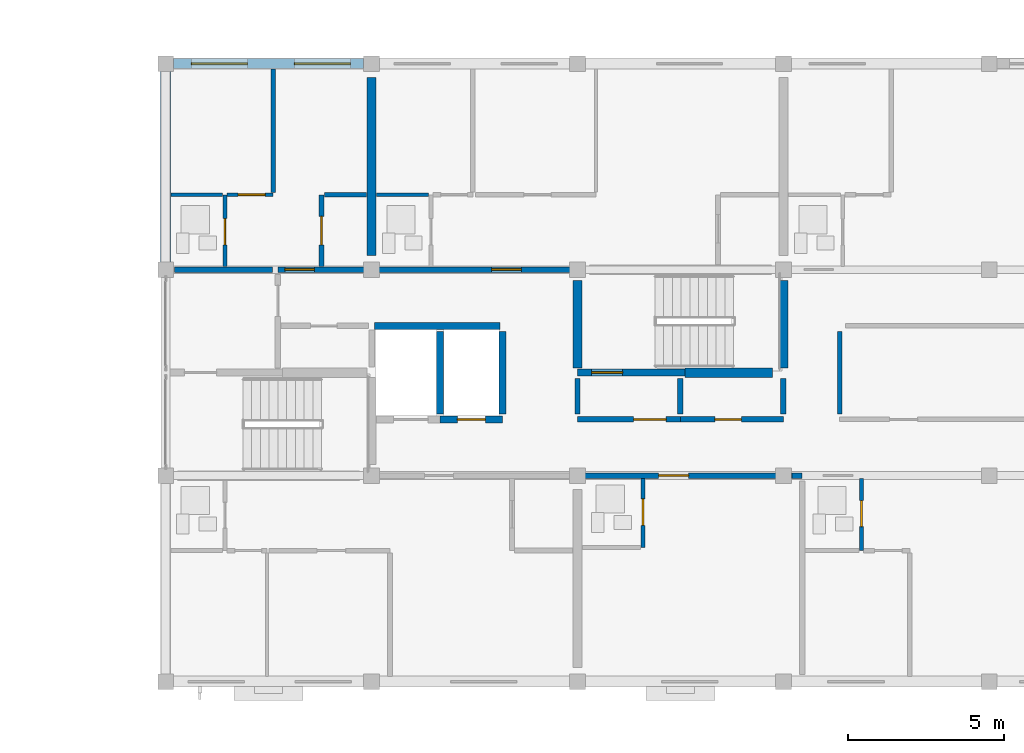
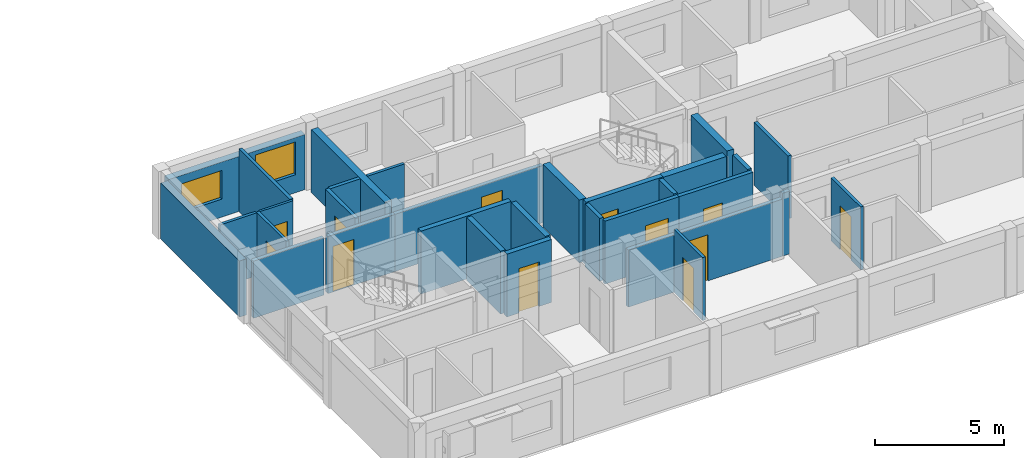
# One storey, part 38 of 53: 31 walls, 12 doors, 2 windows, 14 openings.
"""IFC4 building model written with IfcOpenShell, lengths in metres."""

import ifcopenshell
import ifcopenshell.guid

model = None  # the IFC model being written
_history = None  # IfcOwnerHistory: only IFC2X3 demands one
_inside = {}  # id of a spatial element -> (the spatial element, [elements in it])
_under = {}  # id of a project, library or spatial element -> (it, [spatial elements below it])
_declared = {}  # id of a project -> (the project, [libraries it declares])
_typed = {}  # id of a type object -> (the type object, [elements of that type])
_made_of = {}  # id of a material, layer set ... -> (it, [elements and type objects made of it])


def new_model(schema):
    """Start an empty IFC model of exactly this schema.

    Asked for "IFC4X3", IfcOpenShell would pick the latest addendum, in which some entities
    have other attributes; the version numbers below select the first issue.
    IFC2X3 requires an IfcOwnerHistory on every rooted entity: one is made here for all.
    """
    global model, _history
    if schema == "IFC4X3":
        model = ifcopenshell.file(schema_version=(4, 3, 0, 0))
    else:
        model = ifcopenshell.file(schema=schema)
    _inside.clear()
    _under.clear()
    _declared.clear()
    _typed.clear()
    _made_of.clear()
    _history = None
    if model.schema == "IFC2X3":
        org = make("IfcOrganization", Name="unknown")
        user = make(
            "IfcPersonAndOrganization",
            ThePerson=make("IfcPerson", FamilyName="unknown"),
            TheOrganization=org,
        )
        app = make(
            "IfcApplication",
            ApplicationDeveloper=org,
            Version="unknown",
            ApplicationFullName="unknown",
            ApplicationIdentifier="unknown",
        )
        _history = make(
            "IfcOwnerHistory",
            OwningUser=user,
            OwningApplication=app,
            ChangeAction="ADDED",
            CreationDate=0,
        )
    return model


def make(cls, **values):
    """One entity of the class cls with the attributes given. An attribute that is None is left unset."""
    return model.create_entity(
        cls, **{name: value for name, value in values.items() if value is not None}
    )


def rooted(cls, **values):
    """An entity with a GlobalId (a new one), such as an element, a storey or a relation."""
    return make(cls, GlobalId=ifcopenshell.guid.new(), OwnerHistory=_history, **values)


def si_unit(unit_type, name, prefix=None):
    """IfcSIUnit, for example si_unit("LENGTHUNIT", "METRE", prefix="MILLI")."""
    return make("IfcSIUnit", UnitType=unit_type, Prefix=prefix, Name=name)


def assignment(units):
    """IfcUnitAssignment: the units of a project."""
    return None if units is None else make("IfcUnitAssignment", Units=units)


def point(xyz):
    """IfcCartesianPoint."""
    return None if xyz is None else make("IfcCartesianPoint", Coordinates=xyz)


def direction(xyz):
    """IfcDirection."""
    return None if xyz is None else make("IfcDirection", DirectionRatios=xyz)


def frame(location, z_axis=None, x_axis=None):
    """IfcAxis2Placement3D, a coordinate frame: its origin and axes. An axis left out is left unset."""
    return make(
        "IfcAxis2Placement3D",
        Location=point(location),
        Axis=direction(z_axis),
        RefDirection=direction(x_axis),
    )


def frame_2d(location, x_axis=None):
    """IfcAxis2Placement2D, a coordinate frame in the plane: its origin and x axis."""
    return make(
        "IfcAxis2Placement2D", Location=point(location), RefDirection=direction(x_axis)
    )


def origin():
    """The frame at (0, 0, 0) with its axes left unset."""
    return frame((0.0, 0.0, 0.0))


def place(relative_to, where):
    """IfcLocalPlacement: puts the frame where relative to a parent placement (None: the world)."""
    return make(
        "IfcLocalPlacement", PlacementRelTo=relative_to, RelativePlacement=where
    )


def context(
    kind, dimensions, precision=None, world=None, true_north=None, identifier=None
):
    """IfcGeometricRepresentationContext, for example the 3D "Model" context."""
    return make(
        "IfcGeometricRepresentationContext",
        ContextIdentifier=identifier,
        ContextType=kind,
        CoordinateSpaceDimension=dimensions,
        Precision=precision,
        WorldCoordinateSystem=world,
        TrueNorth=true_north,
    )


def subcontext(parent, identifier, kind, view, scale=None):
    """IfcGeometricRepresentationSubContext, for example "Body" below "Model"."""
    return make(
        "IfcGeometricRepresentationSubContext",
        ContextIdentifier=identifier,
        ContextType=kind,
        ParentContext=parent,
        TargetScale=scale,
        TargetView=view,
    )


def project(units=None, contexts=None):
    """IfcProject with its units and contexts."""
    return rooted(
        "IfcProject",
        Name="project",
        RepresentationContexts=contexts,
        UnitsInContext=assignment(units),
    )


def spatial(cls, under=None, at=None, **own):
    """A site, building, storey or space (cls), placed at a placement, below another one or the project."""
    s = rooted(cls, ObjectPlacement=at, **own)
    if under is not None:
        _under.setdefault(under.id(), (under, []))[1].append(s)
    return s


def profile(cls, at=None, kind="AREA", **sizes):
    """A parametric profile (cls). Its sizes go by their IFC names, for example OverallWidth=200.0."""
    return make(cls, ProfileType=kind, Position=at, **sizes)


def rectangle(**sizes):
    """IfcRectangleProfileDef."""
    return profile("IfcRectangleProfileDef", **sizes)


def extrude(swept, where, along, depth):
    """IfcExtrudedAreaSolid: the profile swept, set in the frame where, extruded along a direction by depth."""
    return make(
        "IfcExtrudedAreaSolid",
        SweptArea=swept,
        Position=where,
        ExtrudedDirection=direction(along),
        Depth=depth,
    )


def shape(context_of_items, identifier, shape_type, items):
    """IfcShapeRepresentation: the items that make up one representation, for example the "Body"."""
    return make(
        "IfcShapeRepresentation",
        ContextOfItems=context_of_items,
        RepresentationIdentifier=identifier,
        RepresentationType=shape_type,
        Items=items,
    )


def material(Name=None, Category=None):
    """IfcMaterial."""
    return make("IfcMaterial", Name=Name, Category=Category)


def layer(
    of_material, thickness, ventilated=None, Name=None, Category=None, Priority=None
):
    """IfcMaterialLayer: one layer of a wall or slab, of a material (None: an air gap)."""
    return make(
        "IfcMaterialLayer",
        Material=of_material,
        LayerThickness=thickness,
        IsVentilated=ventilated,
        Name=Name,
        Category=Category,
        Priority=Priority,
    )


def layer_set(layers, Name=None):
    """IfcMaterialLayerSet."""
    return make("IfcMaterialLayerSet", MaterialLayers=layers, LayerSetName=Name)


def made_of(thing, what):
    """Note that an element or type object is made of a material, layer set ...; save() writes the relation."""
    if what is not None:
        _made_of.setdefault(what.id(), (what, []))[1].append(thing)
    return thing


def type_object(cls, material=None, **own):
    """A type object (cls), such as IfcWallType, which elements share."""
    return made_of(rooted(cls, **own), material)


def element(
    cls,
    number,
    at=None,
    inside=None,
    cuts=None,
    type_object=None,
    material=None,
    context=None,
    identifier="Body",
    shape_type=None,
    held_by="IfcProductDefinitionShape",
    body=None,
    shapes=None,
    **own,
):
    """One element of the class cls, such as IfcWall. Its Tag is "e" and its number.

    at: its placement. inside: the storey or other place that contains it. cuts: it is an
    opening in that element (IfcRelVoidsElement). A single representation is given by context,
    identifier, shape_type and body (its items); several are given by shapes. held_by: the class
    of the entity that holds the representations. save() writes the other relations.
    """
    e = rooted(cls, Tag="e%d" % number, ObjectPlacement=at, **own)
    if body is not None:
        shapes = [shape(context, identifier, shape_type, body)]
    if shapes is not None:
        e.Representation = make(held_by, Representations=shapes)
    if inside is not None:
        _inside.setdefault(inside.id(), (inside, []))[1].append(e)
    if cuts is not None:
        rooted(
            "IfcRelVoidsElement", RelatingBuildingElement=cuts, RelatedOpeningElement=e
        )
    if type_object is not None:
        _typed.setdefault(type_object.id(), (type_object, []))[1].append(e)
    return made_of(e, material)


def fill(opening, filler):
    """IfcRelFillsElement: the door or window that sits in an opening."""
    return rooted(
        "IfcRelFillsElement",
        RelatingOpeningElement=opening,
        RelatedBuildingElement=filler,
    )


def aggregate(whole, parts):
    """IfcRelAggregates: a whole, such as a stair, and the parts it consists of."""
    return rooted("IfcRelAggregates", RelatingObject=whole, RelatedObjects=parts)


def save(model, path):
    """Write the relations noted so far, then the file.

    IfcRelAggregates (storeys below a building ...), IfcRelContainedInSpatialStructure (elements
    in a storey), IfcRelDefinesByType, IfcRelAssociatesMaterial and IfcRelDeclares: one each for
    every whole, place, type object, material and project.
    """
    for whole, parts in _under.values():
        aggregate(whole, parts)
    for where, things in _inside.values():
        rooted(
            "IfcRelContainedInSpatialStructure",
            RelatedElements=things,
            RelatingStructure=where,
        )
    for kind, things in _typed.values():
        rooted("IfcRelDefinesByType", RelatedObjects=things, RelatingType=kind)
    for what, things in _made_of.values():
        rooted("IfcRelAssociatesMaterial", RelatedObjects=things, RelatingMaterial=what)
    for by, libraries in _declared.values():
        rooted("IfcRelDeclares", RelatingContext=by, RelatedDefinitions=libraries)
    model.write(path)


model = new_model("IFC4")

# Units and contexts
model_context = context("Model", 3, precision=1e-05, world=origin(), true_north=direction((0.0, 1.0)))
body_context = subcontext(model_context, "Body", "Model", "MODEL_VIEW")
ifc_project = project(units=[si_unit("LENGTHUNIT", "METRE"), si_unit("AREAUNIT", "SQUARE_METRE"), si_unit("VOLUMEUNIT", "CUBIC_METRE"), si_unit("PLANEANGLEUNIT", "RADIAN"), si_unit("MASSUNIT", "GRAM", prefix="KILO")], contexts=[model_context])

# Site, building, storey
site_placement = place(None, origin())
site = spatial("IfcSite", under=ifc_project, at=site_placement, CompositionType="ELEMENT")
building_placement = place(site_placement, origin())
building = spatial("IfcBuilding", under=site, at=building_placement, Name="Kernevlak Ridge Housing Community", CompositionType="ELEMENT")
storey_placement = place(building_placement, frame((0.0, 0.0, 24.39990234375)))
storey = spatial("IfcBuildingStorey", under=building, at=storey_placement, Name="L07", CompositionType="ELEMENT", Elevation=24.39990234375)

# Wall, openings, windows
ifc_material_1 = material(Name="Concrete block masonry M10", Category="masonry")
ifc_layer_1 = layer(ifc_material_1, 0.320068359375, Name="Concrete block masonry M10")
ifc_layer_set_1 = layer_set([ifc_layer_1], Name="Concrete block masonry M10")
wall_type_1 = type_object("IfcWallType", Name="EW-02", PredefinedType="STANDARD", material=ifc_layer_set_1)
wall_1_placement = place(storey_placement, frame((119.64990234375, 102.39990234375, 0.0), z_axis=(0.0, 0.0, 1.0), x_axis=(1.0, 0.0, 0.0)))
wall_1 = element("IfcWall", 1, at=wall_1_placement, inside=storey, type_object=wall_type_1, Name="Exterior wall EW-02 L07 408", PredefinedType="STANDARD", context=body_context, shape_type="SweptSolid", body=[
    extrude(rectangle(XDim=6.10009765625, YDim=0.320068359375, at=frame_2d((3.050048828125, 0.0))), origin(), (0.0, 0.0, 1.0), 2.60009765625),
])
opening_1_placement = place(wall_1_placement, frame((0.574951171875, 0.0, 0.85009765625)))
opening_1 = element("IfcOpeningElement", 2, at=opening_1_placement, cuts=wall_1, Name="Opening WT-03", PredefinedType="OPENING", context=body_context, shape_type="SweptSolid", body=[
    extrude(rectangle(XDim=1.800048828125, YDim=1.35009765625, at=frame_2d((0.89990234375, 0.675048828125))), frame((0.0, 0.169921875, 0.0), z_axis=(0.0, -1.0, 0.0), x_axis=(1.0, 0.0, 0.0)), (0.0, 0.0, 1.0), 0.340087890625),
])
opening_2_placement = place(wall_1_placement, frame((3.875, 0.0, 0.85009765625)))
opening_2 = element("IfcOpeningElement", 3, at=opening_2_placement, cuts=wall_1, Name="Opening WT-04", PredefinedType="OPENING", context=body_context, shape_type="SweptSolid", body=[
    extrude(rectangle(XDim=1.800048828125, YDim=1.550048828125, at=frame_2d((0.89990234375, 0.77490234375))), frame((0.0, 0.169921875, 0.0), z_axis=(0.0, -1.0, 0.0), x_axis=(1.0, 0.0, 0.0)), (0.0, 0.0, 1.0), 0.340087890625),
])
ifc_material_2 = material(Name="Aluminium EN AW-6060 anodised and laminated glass", Category="aluminium")
window_type_1 = type_object("IfcWindowType", Name="WT-03", PartitioningType="SINGLE_PANEL", PredefinedType="WINDOW", material=ifc_material_2)
window_1_placement = place(opening_1_placement, origin())
window_1 = element("IfcWindow", 4, at=window_1_placement, inside=storey, type_object=window_type_1, Name="Window WT-03 L07 315", OverallHeight=1.35009765625, OverallWidth=1.800048828125, PartitioningType="SINGLE_PANEL", PredefinedType="WINDOW", context=body_context, shape_type="SweptSolid", body=[
    extrude(rectangle(XDim=1.800048828125, YDim=1.35009765625, at=frame_2d((0.89990234375, 0.675048828125))), frame((0.0, 0.030029296875, 0.0), z_axis=(0.0, -1.0, 0.0), x_axis=(1.0, 0.0, 0.0)), (0.0, 0.0, 1.0), 0.06005859375),
])
fill(opening_1, window_1)
window_type_2 = type_object("IfcWindowType", Name="WT-04", PartitioningType="SINGLE_PANEL", PredefinedType="WINDOW", material=ifc_material_2)
window_2_placement = place(opening_2_placement, origin())
window_2 = element("IfcWindow", 5, at=window_2_placement, inside=storey, type_object=window_type_2, Name="Window WT-04 L07 316", OverallHeight=1.550048828125, OverallWidth=1.800048828125, PartitioningType="SINGLE_PANEL", PredefinedType="WINDOW", context=body_context, shape_type="SweptSolid", body=[
    extrude(rectangle(XDim=1.800048828125, YDim=1.550048828125, at=frame_2d((0.89990234375, 0.77490234375))), frame((0.0, 0.030029296875, 0.0), z_axis=(0.0, -1.0, 0.0), x_axis=(1.0, 0.0, 0.0)), (0.0, 0.0, 1.0), 0.06005859375),
])
fill(opening_2, window_2)

# Wall
wall_2_placement = place(storey_placement, frame((119.39990234375, 96.050048828125, 0.0), z_axis=(0.0, 0.0, 1.0), x_axis=(0.0, 1.0, 0.0)))
element("IfcWall", 6, at=wall_2_placement, inside=storey, type_object=wall_type_1, Name="Exterior wall EW-02 L07 416", PredefinedType="STANDARD", context=body_context, shape_type="SweptSolid", body=[
    extrude(rectangle(XDim=6.099853515625, YDim=0.320068359375, at=frame_2d((3.0498046875, 0.0))), origin(), (0.0, 0.0, 1.0), 2.650146484375),
])

# Wall, opening, door
ifc_material_3 = material(Name="Concrete C35/45", Category="concrete")
ifc_layer_2 = layer(ifc_material_3, 0.22509765625, Name="Concrete C35/45")
ifc_layer_set_2 = layer_set([ifc_layer_2], Name="Concrete C35/45")
wall_type_2 = type_object("IfcWallType", Name="PW-01", PredefinedType="STANDARD", material=ifc_layer_set_2)
wall_3_placement = place(storey_placement, frame((128.199951171875, 91.0, 0.0), z_axis=(0.0, 0.0, 1.0), x_axis=(1.0, 0.0, 0.0)))
wall_3 = element("IfcWall", 7, at=wall_3_placement, inside=storey, type_object=wall_type_2, Name="Interior wall PW-01 WAL-INT-L07-1579", PredefinedType="STANDARD", context=body_context, shape_type="SweptSolid", body=[
    extrude(rectangle(XDim=2.0, YDim=0.22509765625, at=frame_2d((1.0, 0.0))), origin(), (0.0, 0.0, 1.0), 2.97021484375),
])
opening_3_placement = place(wall_3_placement, frame((0.550048828125, 0.0, 0.0)))
opening_3 = element("IfcOpeningElement", 8, at=opening_3_placement, cuts=wall_3, Name="Opening LD45", PredefinedType="OPENING", context=body_context, shape_type="SweptSolid", body=[
    extrude(rectangle(XDim=0.89990234375, YDim=2.10009765625, at=frame_2d((0.449951171875, 1.050048828125))), frame((0.0, 0.12255859375, 0.0), z_axis=(0.0, -1.0, 0.0), x_axis=(1.0, 0.0, 0.0)), (0.0, 0.0, 1.0), 0.2451171875),
])
ifc_material_4 = material(Name="Stainless steel EN 1.4401", Category="steel")
door_type_1 = type_object("IfcDoorType", Name="DT-LD2", OperationType="DOUBLE_DOOR_SLIDING", PredefinedType="DOOR", material=ifc_material_4)
door_1_placement = place(opening_3_placement, origin())
door_1 = element("IfcDoor", 9, at=door_1_placement, inside=storey, type_object=door_type_1, Name="Lift LF-B2 landing door LD45", OperationType="DOUBLE_DOOR_SLIDING", OverallHeight=2.10009765625, OverallWidth=0.89990234375, PredefinedType="DOOR", context=body_context, shape_type="SweptSolid", body=[
    extrude(rectangle(XDim=0.89990234375, YDim=2.10009765625, at=frame_2d((0.449951171875, 1.050048828125))), frame((0.0, 0.02490234375, 0.0), z_axis=(0.0, -1.0, 0.0), x_axis=(1.0, 0.0, 0.0)), (0.0, 0.0, 1.0), 0.050048828125),
])
fill(opening_3, door_1)

# Walls
wall_4_placement = place(storey_placement, frame((126.097412109375, 94.0, 0.0), z_axis=(0.0, 0.0, 1.0), x_axis=(1.0, 0.0, 0.0)))
element("IfcWall", 10, at=wall_4_placement, inside=storey, type_object=wall_type_2, Name="Interior wall PW-01 WAL-INT-L07-1580", PredefinedType="STANDARD", context=body_context, shape_type="SweptSolid", body=[
    extrude(rectangle(XDim=4.022705078125, YDim=0.22509765625, at=frame_2d((2.01123046875, 0.0))), origin(), (0.0, 0.0, 1.0), 2.97021484375),
])
for number, where, z_axis, x_axis, name in (
    (11, (128.199951171875, 91.179931640625, 0.0), (0.0, 0.0, 1.0), (0.0, 1.0, 0.0), "Interior wall PW-01 WAL-INT-L07-1582"),
    (12, (130.199951171875, 91.179931640625, 0.0), (0.0, 0.0, 1.0), (0.0, 1.0, 0.0), "Interior wall PW-01 WAL-INT-L07-1583"),
):
    element("IfcWall", number, at=place(storey_placement, frame(where, z_axis=z_axis, x_axis=x_axis)), inside=storey, type_object=wall_type_2, Name=name, PredefinedType="STANDARD", context=body_context, shape_type="SweptSolid", body=[
        extrude(rectangle(XDim=2.64013671875, YDim=0.22509765625, at=frame_2d((1.320068359375, 0.0))), origin(), (0.0, 0.0, 1.0), 2.97021484375),
    ])

# Wall, opening, door
wall_5_placement = place(storey_placement, frame((132.60009765625, 92.5, 0.0), z_axis=(0.0, 0.0, 1.0), x_axis=(1.0, 0.0, 0.0)))
wall_5 = element("IfcWall", 13, at=wall_5_placement, inside=storey, type_object=wall_type_2, Name="Interior wall PW-01 WAL-INT-L07-1584", PredefinedType="STANDARD", context=body_context, shape_type="SweptSolid", body=[
    extrude(rectangle(XDim=3.449951171875, YDim=0.22509765625, at=frame_2d((1.72509765625, 0.0))), origin(), (0.0, 0.0, 1.0), 2.97021484375),
])
opening_4_placement = place(wall_5_placement, frame((0.449951171875, 0.0, 0.0)))
opening_4 = element("IfcOpeningElement", 14, at=opening_4_placement, cuts=wall_5, Name="Opening D801", PredefinedType="OPENING", context=body_context, shape_type="SweptSolid", body=[
    extrude(rectangle(XDim=1.0, YDim=2.159912109375, at=frame_2d((0.5, 1.080078125))), frame((0.0, 0.12255859375, 0.0), z_axis=(0.0, -1.0, 0.0), x_axis=(1.0, 0.0, 0.0)), (0.0, 0.0, 1.0), 0.2451171875),
])
ifc_material_5 = material(Name="Fire-rated sheet steel leaf", Category="steel")
door_type_2 = type_object("IfcDoorType", Name="DT-15", OperationType="NOTDEFINED", PredefinedType="DOOR", material=ifc_material_5)
door_2_placement = place(opening_4_placement, origin())
door_2 = element("IfcDoor", 15, at=door_2_placement, inside=storey, type_object=door_type_2, Name="Block B Stair 2 fire door D801", OperationType="SINGLE_SWING_LEFT", OverallHeight=2.159912109375, OverallWidth=1.0, PredefinedType="DOOR", context=body_context, shape_type="SweptSolid", body=[
    extrude(rectangle(XDim=1.0, YDim=2.159912109375, at=frame_2d((0.5, 1.080078125))), frame((0.0, 0.02490234375, 0.0), z_axis=(0.0, -1.0, 0.0), x_axis=(1.0, 0.0, 0.0)), (0.0, 0.0, 1.0), 0.050048828125),
])
fill(opening_4, door_2)

ifc_layer_3 = layer(ifc_material_1, 0.175048828125, Name="Concrete block masonry M10")
ifc_layer_set_3 = layer_set([ifc_layer_3], Name="Concrete block masonry M10")
wall_type_3 = type_object("IfcWallType", Name="PW-02", PredefinedType="PARTITIONING", material=ifc_layer_set_3)
wall_6_placement = place(storey_placement, frame((132.60009765625, 91.0, 0.0), z_axis=(0.0, 0.0, 1.0), x_axis=(1.0, 0.0, 0.0)))
wall_6 = element("IfcWall", 16, at=wall_6_placement, inside=storey, type_object=wall_type_3, Name="Interior wall PW-02 WAL-INT-L07-1585", PredefinedType="PARTITIONING", context=body_context, shape_type="SweptSolid", body=[
    extrude(rectangle(XDim=3.2998046875, YDim=0.175048828125, at=frame_2d((1.64990234375, 0.0))), origin(), (0.0, 0.0, 1.0), 2.97021484375),
])
opening_5_placement = place(wall_6_placement, frame((1.800048828125, 0.0, 0.0)))
opening_5 = element("IfcOpeningElement", 17, at=opening_5_placement, cuts=wall_6, Name="Opening D802", PredefinedType="OPENING", context=body_context, shape_type="SweptSolid", body=[
    extrude(rectangle(XDim=1.0400390625, YDim=2.1201171875, at=frame_2d((0.52001953125, 1.06005859375))), frame((0.0, 0.097412109375, 0.0), z_axis=(0.0, -1.0, 0.0), x_axis=(1.0, 0.0, 0.0)), (0.0, 0.0, 1.0), 0.195068359375),
])
door_type_3 = type_object("IfcDoorType", Name="DT-16", OperationType="NOTDEFINED", PredefinedType="DOOR", material=ifc_material_5)
door_3_placement = place(opening_5_placement, origin())
door_3 = element("IfcDoor", 18, at=door_3_placement, inside=storey, type_object=door_type_3, Name="Block B Firefighting lobby 2 door D802", OperationType="SINGLE_SWING_RIGHT", OverallHeight=2.1201171875, OverallWidth=1.0400390625, PredefinedType="DOOR", context=body_context, shape_type="SweptSolid", body=[
    extrude(rectangle(XDim=1.0400390625, YDim=2.1201171875, at=frame_2d((0.52001953125, 1.06005859375))), frame((0.0, 0.02490234375, 0.0), z_axis=(0.0, -1.0, 0.0), x_axis=(1.0, 0.0, 0.0)), (0.0, 0.0, 1.0), 0.050048828125),
])
fill(opening_5, door_3)

wall_7_placement = place(storey_placement, frame((135.89990234375, 91.0, 0.0), z_axis=(0.0, 0.0, 1.0), x_axis=(1.0, 0.0, 0.0)))
wall_7 = element("IfcWall", 19, at=wall_7_placement, inside=storey, type_object=wall_type_3, Name="Interior wall PW-02 WAL-INT-L07-1586", PredefinedType="PARTITIONING", context=body_context, shape_type="SweptSolid", body=[
    extrude(rectangle(XDim=3.300048828125, YDim=0.175048828125, at=frame_2d((1.64990234375, 0.0))), origin(), (0.0, 0.0, 1.0), 2.97021484375),
])
opening_6_placement = place(wall_7_placement, frame((1.10009765625, 0.0, 0.0)))
opening_6 = element("IfcOpeningElement", 20, at=opening_6_placement, cuts=wall_7, Name="Opening D803", PredefinedType="OPENING", context=body_context, shape_type="SweptSolid", body=[
    extrude(rectangle(XDim=0.85009765625, YDim=2.0, at=frame_2d((0.425048828125, 1.0))), frame((0.0, 0.097412109375, 0.0), z_axis=(0.0, -1.0, 0.0), x_axis=(1.0, 0.0, 0.0)), (0.0, 0.0, 1.0), 0.195068359375),
])
door_type_4 = type_object("IfcDoorType", Name="DT-07", OperationType="NOTDEFINED", PredefinedType="DOOR", material=ifc_material_5)
door_4_placement = place(opening_6_placement, origin())
door_4 = element("IfcDoor", 21, at=door_4_placement, inside=storey, type_object=door_type_4, Name="Block B Cleaner store door D803", OperationType="SINGLE_SWING_LEFT", OverallHeight=2.0, OverallWidth=0.85009765625, PredefinedType="DOOR", context=body_context, shape_type="SweptSolid", body=[
    extrude(rectangle(XDim=0.85009765625, YDim=2.0, at=frame_2d((0.425048828125, 1.0))), frame((0.0, 0.02490234375, 0.0), z_axis=(0.0, -1.0, 0.0), x_axis=(1.0, 0.0, 0.0)), (0.0, 0.0, 1.0), 0.050048828125),
])
fill(opening_6, door_4)

# Walls
for number, where, z_axis, x_axis, name in (
    (22, (132.60009765625, 91.179931640625, 0.0), (0.0, 0.0, 1.0), (0.0, 1.0, 0.0), "Interior wall PW-02 WAL-INT-L07-1587"),
    (23, (135.89990234375, 91.179931640625, 0.0), (0.0, 0.0, 1.0), (0.0, 1.0, 0.0), "Interior wall PW-02 WAL-INT-L07-1588"),
    (24, (139.199951171875, 91.179931640625, 0.0), (0.0, 0.0, 1.0), (0.0, 1.0, 0.0), "Interior wall PW-02 WAL-INT-L07-1589"),
):
    element("IfcWall", number, at=place(storey_placement, frame(where, z_axis=z_axis, x_axis=x_axis)), inside=storey, type_object=wall_type_3, Name=name, PredefinedType="PARTITIONING", context=body_context, shape_type="SweptSolid", body=[
        extrude(rectangle(XDim=1.14013671875, YDim=0.175048828125, at=frame_2d((0.570068359375, 0.0))), origin(), (0.0, 0.0, 1.0), 2.97021484375),
    ])

# Wall, opening, door
wall_8_placement = place(storey_placement, frame((132.60009765625, 89.199951171875, 0.0), z_axis=(0.0, 0.0, 1.0), x_axis=(1.0, 0.0, 0.0)))
wall_8 = element("IfcWall", 25, at=wall_8_placement, inside=storey, type_object=wall_type_3, Name="Interior wall PW-02 WAL-INT-L07-1604", PredefinedType="PARTITIONING", context=body_context, shape_type="SweptSolid", body=[
    extrude(rectangle(XDim=6.8798828125, YDim=0.175048828125, at=frame_2d((3.43994140625, 0.0))), origin(), (0.0, 0.0, 1.0), 2.7001953125),
])
opening_7_placement = place(wall_8_placement, frame((2.60009765625, 0.0, 0.0)))
opening_7 = element("IfcOpeningElement", 26, at=opening_7_placement, cuts=wall_8, Name="Opening D811", PredefinedType="OPENING", context=body_context, shape_type="SweptSolid", body=[
    extrude(rectangle(XDim=0.9599609375, YDim=2.179931640625, at=frame_2d((0.47998046875, 1.08984375))), frame((0.0, 0.097412109375, 0.0), z_axis=(0.0, -1.0, 0.0), x_axis=(1.0, 0.0, 0.0)), (0.0, 0.0, 1.0), 0.195068359375),
])
ifc_material_6 = material(Name="Hardwood timber solid-core fire leaf", Category="wood")
door_type_5 = type_object("IfcDoorType", Name="DT-29", OperationType="NOTDEFINED", PredefinedType="DOOR", material=ifc_material_6)
door_5_placement = place(opening_7_placement, origin())
door_5 = element("IfcDoor", 27, at=door_5_placement, inside=storey, type_object=door_type_5, Name="Flat B0712 entrance fire door D811", OperationType="SINGLE_SWING_LEFT", OverallHeight=2.179931640625, OverallWidth=0.9599609375, PredefinedType="DOOR", context=body_context, shape_type="SweptSolid", body=[
    extrude(rectangle(XDim=0.9599609375, YDim=2.179931640625, at=frame_2d((0.47998046875, 1.08984375))), frame((0.0, 0.02490234375, 0.0), z_axis=(0.0, -1.0, 0.0), x_axis=(1.0, 0.0, 0.0)), (0.0, 0.0, 1.0), 0.050048828125),
])
fill(opening_7, door_5)

# Walls
wall_9_placement = place(storey_placement, frame((139.47998046875, 89.199951171875, 0.0), z_axis=(0.0, 0.0, 1.0), x_axis=(1.0, 0.0, 0.0)))
element("IfcWall", 28, at=wall_9_placement, inside=storey, type_object=wall_type_3, Name="Interior wall PW-02 WAL-INT-L07-1604 part 2", PredefinedType="PARTITIONING", context=body_context, shape_type="SweptSolid", body=[
    extrude(rectangle(XDim=0.320068359375, YDim=0.175048828125, at=frame_2d((0.16015625, 0.0))), origin(), (0.0, 0.0, 1.0), 2.97021484375),
])
wall_10_placement = place(storey_placement, frame((119.679931640625, 95.800048828125, 0.0), z_axis=(0.0, 0.0, 1.0), x_axis=(1.0, 0.0, 0.0)))
element("IfcWall", 29, at=wall_10_placement, inside=storey, type_object=wall_type_3, Name="Interior wall PW-02 WAL-INT-L07-1615", PredefinedType="PARTITIONING", context=body_context, shape_type="SweptSolid", body=[
    extrude(rectangle(XDim=3.14013671875, YDim=0.175048828125, at=frame_2d((1.570068359375, 0.0))), origin(), (0.0, 0.0, 1.0), 2.7001953125),
])

# Wall, opening, door
wall_11_placement = place(storey_placement, frame((123.0, 95.800048828125, 0.0), z_axis=(0.0, 0.0, 1.0), x_axis=(1.0, 0.0, 0.0)))
wall_11 = element("IfcWall", 30, at=wall_11_placement, inside=storey, type_object=wall_type_3, Name="Interior wall PW-02 WAL-INT-L07-1616", PredefinedType="PARTITIONING", context=body_context, shape_type="SweptSolid", body=[
    extrude(rectangle(XDim=3.0, YDim=0.175048828125, at=frame_2d((1.5, 0.0))), origin(), (0.0, 0.0, 1.0), 2.7001953125),
])
opening_8_placement = place(wall_11_placement, frame((0.219970703125, 0.0, 0.0)))
opening_8 = element("IfcOpeningElement", 31, at=opening_8_placement, cuts=wall_11, Name="Opening D817", PredefinedType="OPENING", context=body_context, shape_type="SweptSolid", body=[
    extrude(rectangle(XDim=0.949951171875, YDim=2.159912109375, at=frame_2d((0.47509765625, 1.080078125))), frame((0.0, 0.097412109375, 0.0), z_axis=(0.0, -1.0, 0.0), x_axis=(1.0, 0.0, 0.0)), (0.0, 0.0, 1.0), 0.195068359375),
])
door_type_6 = type_object("IfcDoorType", Name="DT-02", OperationType="NOTDEFINED", PredefinedType="DOOR", material=ifc_material_6)
door_6_placement = place(opening_8_placement, origin())
door_6 = element("IfcDoor", 32, at=door_6_placement, inside=storey, type_object=door_type_6, Name="Flat B0721 entrance fire door D817", OperationType="SINGLE_SWING_LEFT", OverallHeight=2.159912109375, OverallWidth=0.949951171875, PredefinedType="DOOR", context=body_context, shape_type="SweptSolid", body=[
    extrude(rectangle(XDim=0.949951171875, YDim=2.159912109375, at=frame_2d((0.47509765625, 1.080078125))), frame((0.0, 0.02490234375, 0.0), z_axis=(0.0, -1.0, 0.0), x_axis=(1.0, 0.0, 0.0)), (0.0, 0.0, 1.0), 0.050048828125),
])
fill(opening_8, door_6)

wall_12_placement = place(storey_placement, frame((126.0, 95.800048828125, 0.0), z_axis=(0.0, 0.0, 1.0), x_axis=(1.0, 0.0, 0.0)))
wall_12 = element("IfcWall", 33, at=wall_12_placement, inside=storey, type_object=wall_type_3, Name="Interior wall PW-02 WAL-INT-L07-1623", PredefinedType="PARTITIONING", context=body_context, shape_type="SweptSolid", body=[
    extrude(rectangle(XDim=6.60009765625, YDim=0.175048828125, at=frame_2d((3.300048828125, 0.0))), origin(), (0.0, 0.0, 1.0), 2.7001953125),
])
opening_9_placement = place(wall_12_placement, frame((3.85009765625, 0.0, 0.0)))
opening_9 = element("IfcOpeningElement", 34, at=opening_9_placement, cuts=wall_12, Name="Opening D821", PredefinedType="OPENING", context=body_context, shape_type="SweptSolid", body=[
    extrude(rectangle(XDim=0.949951171875, YDim=2.159912109375, at=frame_2d((0.47509765625, 1.080078125))), frame((0.0, 0.097412109375, 0.0), z_axis=(0.0, -1.0, 0.0), x_axis=(1.0, 0.0, 0.0)), (0.0, 0.0, 1.0), 0.195068359375),
])
door_7_placement = place(opening_9_placement, origin())
door_7 = element("IfcDoor", 35, at=door_7_placement, inside=storey, type_object=door_type_6, Name="Flat B0722 entrance fire door D821", OperationType="SINGLE_SWING_LEFT", OverallHeight=2.159912109375, OverallWidth=0.949951171875, PredefinedType="DOOR", context=body_context, shape_type="SweptSolid", body=[
    extrude(rectangle(XDim=0.949951171875, YDim=2.159912109375, at=frame_2d((0.47509765625, 1.080078125))), frame((0.0, 0.02490234375, 0.0), z_axis=(0.0, -1.0, 0.0), x_axis=(1.0, 0.0, 0.0)), (0.0, 0.0, 1.0), 0.050048828125),
])
fill(opening_9, door_7)

# Walls
ifc_layer_4 = layer(ifc_material_1, 0.14501953125, Name="Concrete block masonry M10")
ifc_layer_set_4 = layer_set([ifc_layer_4], Name="Concrete block masonry M10")
wall_type_4 = type_object("IfcWallType", Name="PW-03", PredefinedType="PARTITIONING", material=ifc_layer_set_4)
wall_13_placement = place(storey_placement, frame((141.0, 91.179931640625, 0.0), z_axis=(0.0, 0.0, 1.0), x_axis=(0.0, 1.0, 0.0)))
element("IfcWall", 36, at=wall_13_placement, inside=storey, type_object=wall_type_4, Name="Interior wall PW-03 WAL-INT-L07-1594", PredefinedType="PARTITIONING", context=body_context, shape_type="SweptSolid", body=[
    extrude(rectangle(XDim=2.64013671875, YDim=0.14501953125, at=frame_2d((1.320068359375, 0.0))), origin(), (0.0, 0.0, 1.0), 2.97021484375),
])
wall_14_placement = place(storey_placement, frame((122.85009765625, 98.280029296875, 0.0), z_axis=(0.0, 0.0, 1.0), x_axis=(0.0, 1.0, 0.0)))
element("IfcWall", 37, at=wall_14_placement, inside=storey, type_object=wall_type_4, Name="Interior wall PW-03 WAL-INT-L07-1622", PredefinedType="PARTITIONING", context=body_context, shape_type="SweptSolid", body=[
    extrude(rectangle(XDim=3.949951171875, YDim=0.14501953125, at=frame_2d((1.97509765625, 0.0))), origin(), (0.0, 0.0, 1.0), 2.97021484375),
])

# Wall, opening, door
ifc_material_7 = material(Name="Gypsum plasterboard EN 520", Category="gypsum")
ifc_layer_5 = layer(ifc_material_7, 0.125, Name="Gypsum plasterboard EN 520")
ifc_layer_set_5 = layer_set([ifc_layer_5], Name="Gypsum plasterboard EN 520")
wall_type_5 = type_object("IfcWallType", Name="PW-04", PredefinedType="PARTITIONING", material=ifc_layer_set_5)
wall_15_placement = place(storey_placement, frame((134.699951171875, 89.1025390625, 0.0), z_axis=(0.0, 0.0, 1.0), x_axis=(0.0, -1.0, 0.0)))
wall_15 = element("IfcWall", 38, at=wall_15_placement, inside=storey, type_object=wall_type_5, Name="Interior wall PW-04 WAL-INT-L07-1605", PredefinedType="PARTITIONING", context=body_context, shape_type="SweptSolid", body=[
    extrude(rectangle(XDim=2.20263671875, YDim=0.125, at=frame_2d((1.101318359375, 0.0))), origin(), (0.0, 0.0, 1.0), 2.97021484375),
])
opening_10_placement = place(wall_15_placement, frame((0.64990234375, 0.0, 0.0)))
opening_10 = element("IfcOpeningElement", 39, at=opening_10_placement, cuts=wall_15, Name="Opening D812", PredefinedType="OPENING", context=body_context, shape_type="SweptSolid", body=[
    extrude(rectangle(XDim=0.85009765625, YDim=2.0400390625, at=frame_2d((0.425048828125, 1.02001953125))), frame((0.0, 0.072509765625, 0.0), z_axis=(0.0, -1.0, 0.0), x_axis=(1.0, 0.0, 0.0)), (0.0, 0.0, 1.0), 0.14501953125),
])
ifc_material_8 = material(Name="Hardwood timber moisture-resistant leaf", Category="wood")
door_type_7 = type_object("IfcDoorType", Name="DT-04", OperationType="NOTDEFINED", PredefinedType="DOOR", material=ifc_material_8)
door_8_placement = place(opening_10_placement, origin())
door_8 = element("IfcDoor", 40, at=door_8_placement, inside=storey, type_object=door_type_7, Name="Flat B0712 bathroom door D812", OperationType="SINGLE_SWING_RIGHT", OverallHeight=2.0400390625, OverallWidth=0.85009765625, PredefinedType="DOOR", context=body_context, shape_type="SweptSolid", body=[
    extrude(rectangle(XDim=0.85009765625, YDim=2.0400390625, at=frame_2d((0.425048828125, 1.02001953125))), frame((0.0, 0.02490234375, 0.0), z_axis=(0.0, -1.0, 0.0), x_axis=(1.0, 0.0, 0.0)), (0.0, 0.0, 1.0), 0.050048828125),
])
fill(opening_10, door_8)

wall_16_placement = place(storey_placement, frame((141.699951171875, 89.1025390625, 0.0), z_axis=(0.0, 0.0, 1.0), x_axis=(0.0, -1.0, 0.0)))
wall_16 = element("IfcWall", 41, at=wall_16_placement, inside=storey, type_object=wall_type_5, Name="Interior wall PW-04 WAL-INT-L07-1609", PredefinedType="PARTITIONING", context=body_context, shape_type="SweptSolid", body=[
    extrude(rectangle(XDim=2.302490234375, YDim=0.125, at=frame_2d((1.1513671875, 0.0))), origin(), (0.0, 0.0, 1.0), 2.97021484375),
])
opening_11_placement = place(wall_16_placement, frame((0.699951171875, 0.0, 0.0)))
opening_11 = element("IfcOpeningElement", 42, at=opening_11_placement, cuts=wall_16, Name="Opening D814", PredefinedType="OPENING", context=body_context, shape_type="SweptSolid", body=[
    extrude(rectangle(XDim=0.840087890625, YDim=2.06005859375, at=frame_2d((0.419921875, 1.030029296875))), frame((0.0, 0.072509765625, 0.0), z_axis=(0.0, -1.0, 0.0), x_axis=(1.0, 0.0, 0.0)), (0.0, 0.0, 1.0), 0.14501953125),
])
door_type_8 = type_object("IfcDoorType", Name="DT-27", OperationType="NOTDEFINED", PredefinedType="DOOR", material=ifc_material_8)
door_9_placement = place(opening_11_placement, origin())
door_9 = element("IfcDoor", 43, at=door_9_placement, inside=storey, type_object=door_type_8, Name="Flat B0713 bathroom door D814", OperationType="SINGLE_SWING_RIGHT", OverallHeight=2.06005859375, OverallWidth=0.840087890625, PredefinedType="DOOR", context=body_context, shape_type="SweptSolid", body=[
    extrude(rectangle(XDim=0.840087890625, YDim=2.06005859375, at=frame_2d((0.419921875, 1.030029296875))), frame((0.0, 0.02490234375, 0.0), z_axis=(0.0, -1.0, 0.0), x_axis=(1.0, 0.0, 0.0)), (0.0, 0.0, 1.0), 0.050048828125),
])
fill(opening_11, door_9)

wall_17_placement = place(storey_placement, frame((121.300048828125, 95.8974609375, 0.0), z_axis=(0.0, 0.0, 1.0), x_axis=(0.0, 1.0, 0.0)))
wall_17 = element("IfcWall", 44, at=wall_17_placement, inside=storey, type_object=wall_type_5, Name="Interior wall PW-04 WAL-INT-L07-1617", PredefinedType="PARTITIONING", context=body_context, shape_type="SweptSolid", body=[
    extrude(rectangle(XDim=2.302490234375, YDim=0.125, at=frame_2d((1.1513671875, 0.0))), origin(), (0.0, 0.0, 1.0), 2.97021484375),
])
opening_12_placement = place(wall_17_placement, frame((0.699951171875, 0.0, 0.0)))
opening_12 = element("IfcOpeningElement", 45, at=opening_12_placement, cuts=wall_17, Name="Opening D818", PredefinedType="OPENING", context=body_context, shape_type="SweptSolid", body=[
    extrude(rectangle(XDim=0.840087890625, YDim=2.06005859375, at=frame_2d((0.419921875, 1.030029296875))), frame((0.0, 0.072509765625, 0.0), z_axis=(0.0, -1.0, 0.0), x_axis=(1.0, 0.0, 0.0)), (0.0, 0.0, 1.0), 0.14501953125),
])
door_10_placement = place(opening_12_placement, origin())
door_10 = element("IfcDoor", 46, at=door_10_placement, inside=storey, type_object=door_type_8, Name="Flat B0721 bathroom door D818", OperationType="SINGLE_SWING_RIGHT", OverallHeight=2.06005859375, OverallWidth=0.840087890625, PredefinedType="DOOR", context=body_context, shape_type="SweptSolid", body=[
    extrude(rectangle(XDim=0.840087890625, YDim=2.06005859375, at=frame_2d((0.419921875, 1.030029296875))), frame((0.0, 0.02490234375, 0.0), z_axis=(0.0, -1.0, 0.0), x_axis=(1.0, 0.0, 0.0)), (0.0, 0.0, 1.0), 0.050048828125),
])
fill(opening_12, door_10)

# Walls
wall_18_placement = place(storey_placement, frame((119.570068359375, 98.199951171875, 0.0), z_axis=(0.0, 0.0, 1.0), x_axis=(1.0, 0.0, 0.0)))
element("IfcWall", 47, at=wall_18_placement, inside=storey, type_object=wall_type_5, Name="Interior wall PW-04 WAL-INT-L07-1618", PredefinedType="PARTITIONING", context=body_context, shape_type="SweptSolid", body=[
    extrude(rectangle(XDim=1.64990234375, YDim=0.125, at=frame_2d((0.824951171875, 0.0))), origin(), (0.0, 0.0, 1.0), 2.97021484375),
])
wall_19_placement = place(storey_placement, frame((126.159912109375, 98.199951171875, 0.0), z_axis=(0.0, 0.0, 1.0), x_axis=(1.0, 0.0, 0.0)))
element("IfcWall", 48, at=wall_19_placement, inside=storey, type_object=wall_type_5, Name="Interior wall PW-04 WAL-INT-L07-1625", PredefinedType="PARTITIONING", context=body_context, shape_type="SweptSolid", body=[
    extrude(rectangle(XDim=1.66015625, YDim=0.125, at=frame_2d((0.830078125, 0.0))), origin(), (0.0, 0.0, 1.0), 2.97021484375),
])

# Wall, opening, door
ifc_layer_6 = layer(ifc_material_7, 0.155029296875, Name="Gypsum plasterboard EN 520")
ifc_layer_set_6 = layer_set([ifc_layer_6], Name="Gypsum plasterboard EN 520")
wall_type_6 = type_object("IfcWallType", Name="PW-05", PredefinedType="PARTITIONING", material=ifc_layer_set_6)
wall_20_placement = place(storey_placement, frame((124.39990234375, 95.8974609375, 0.0), z_axis=(0.0, 0.0, 1.0), x_axis=(0.0, 1.0, 0.0)))
wall_20 = element("IfcWall", 49, at=wall_20_placement, inside=storey, type_object=wall_type_6, Name="Interior wall PW-05 WAL-INT-L07-1619", PredefinedType="PARTITIONING", context=body_context, shape_type="SweptSolid", body=[
    extrude(rectangle(XDim=2.302490234375, YDim=0.155029296875, at=frame_2d((1.1513671875, 0.0))), origin(), (0.0, 0.0, 1.0), 2.97021484375),
])
opening_13_placement = place(wall_20_placement, frame((0.699951171875, 0.0, 0.0)))
opening_13 = element("IfcOpeningElement", 50, at=opening_13_placement, cuts=wall_20, Name="Opening D819", PredefinedType="OPENING", context=body_context, shape_type="SweptSolid", body=[
    extrude(rectangle(XDim=0.909912109375, YDim=2.139892578125, at=frame_2d((0.455078125, 1.06982421875))), frame((0.0, 0.08740234375, 0.0), z_axis=(0.0, -1.0, 0.0), x_axis=(1.0, 0.0, 0.0)), (0.0, 0.0, 1.0), 0.175048828125),
])
ifc_material_9 = material(Name="Hardwood timber leaf", Category="wood")
door_type_9 = type_object("IfcDoorType", Name="DT-31", OperationType="NOTDEFINED", PredefinedType="DOOR", material=ifc_material_9)
door_11_placement = place(opening_13_placement, origin())
door_11 = element("IfcDoor", 51, at=door_11_placement, inside=storey, type_object=door_type_9, Name="Flat B0721 kitchen door D819", OperationType="SINGLE_SWING_LEFT", OverallHeight=2.139892578125, OverallWidth=0.909912109375, PredefinedType="DOOR", context=body_context, shape_type="SweptSolid", body=[
    extrude(rectangle(XDim=0.909912109375, YDim=2.139892578125, at=frame_2d((0.455078125, 1.06982421875))), frame((0.0, 0.02490234375, 0.0), z_axis=(0.0, -1.0, 0.0), x_axis=(1.0, 0.0, 0.0)), (0.0, 0.0, 1.0), 0.050048828125),
])
fill(opening_13, door_11)

# Wall
wall_21_placement = place(storey_placement, frame((124.487548828125, 98.199951171875, 0.0), z_axis=(0.0, 0.0, 1.0), x_axis=(1.0, 0.0, 0.0)))
element("IfcWall", 52, at=wall_21_placement, inside=storey, type_object=wall_type_6, Name="Interior wall PW-05 WAL-INT-L07-1620", PredefinedType="PARTITIONING", context=body_context, shape_type="SweptSolid", body=[
    extrude(rectangle(XDim=1.3525390625, YDim=0.155029296875, at=frame_2d((0.67626953125, 0.0))), origin(), (0.0, 0.0, 1.0), 2.97021484375),
])

# Wall, opening, door
ifc_layer_7 = layer(ifc_material_7, 0.10498046875, Name="Gypsum plasterboard EN 520")
ifc_layer_set_7 = layer_set([ifc_layer_7], Name="Gypsum plasterboard EN 520")
wall_type_7 = type_object("IfcWallType", Name="PW-06", PredefinedType="PARTITIONING", material=ifc_layer_set_7)
wall_22_placement = place(storey_placement, frame((121.37255859375, 98.199951171875, 0.0), z_axis=(0.0, 0.0, 1.0), x_axis=(1.0, 0.0, 0.0)))
wall_22 = element("IfcWall", 53, at=wall_22_placement, inside=storey, type_object=wall_type_7, Name="Interior wall PW-06 WAL-INT-L07-1621", PredefinedType="PARTITIONING", context=body_context, shape_type="SweptSolid", body=[
    extrude(rectangle(XDim=1.4775390625, YDim=0.10498046875, at=frame_2d((0.73876953125, 0.0))), origin(), (0.0, 0.0, 1.0), 2.97021484375),
])
opening_14_placement = place(wall_22_placement, frame((0.35009765625, 0.0, 0.0)))
opening_14 = element("IfcOpeningElement", 54, at=opening_14_placement, cuts=wall_22, Name="Opening D820", PredefinedType="OPENING", context=body_context, shape_type="SweptSolid", body=[
    extrude(rectangle(XDim=0.8701171875, YDim=2.080078125, at=frame_2d((0.43505859375, 1.0400390625))), frame((0.0, 0.0625, 0.0), z_axis=(0.0, -1.0, 0.0), x_axis=(1.0, 0.0, 0.0)), (0.0, 0.0, 1.0), 0.125),
])
door_type_10 = type_object("IfcDoorType", Name="DT-32", OperationType="NOTDEFINED", PredefinedType="DOOR", material=ifc_material_9)
door_12_placement = place(opening_14_placement, origin())
door_12 = element("IfcDoor", 55, at=door_12_placement, inside=storey, type_object=door_type_10, Name="Flat B0721 bedroom door D820", OperationType="SINGLE_SWING_RIGHT", OverallHeight=2.080078125, OverallWidth=0.8701171875, PredefinedType="DOOR", context=body_context, shape_type="SweptSolid", body=[
    extrude(rectangle(XDim=0.8701171875, YDim=2.080078125, at=frame_2d((0.43505859375, 1.0400390625))), frame((0.0, 0.02490234375, 0.0), z_axis=(0.0, -1.0, 0.0), x_axis=(1.0, 0.0, 0.0)), (0.0, 0.0, 1.0), 0.050048828125),
])
fill(opening_14, door_12)

# Walls
ifc_material_10 = material(Name="Concrete C40/50", Category="concrete")
ifc_layer_8 = layer(ifc_material_10, 0.300048828125, Name="Concrete C40/50")
ifc_layer_set_8 = layer_set([ifc_layer_8], Name="Concrete C40/50")
wall_type_8 = type_object("IfcWallType", Name="SW-02", PredefinedType="SHEAR", material=ifc_layer_set_8)
for number, where, z_axis, x_axis, name in (
    (56, (136.050048828125, 92.5, 0.0), (0.0, 0.0, 1.0), (1.0, 0.0, 0.0), "Shear wall SW-02 Block B L07 285"),
    (57, (132.60009765625, 92.64990234375, 0.0), (0.0, 0.0, 1.0), (0.0, 1.0, 0.0), "Shear wall SW-02 Block B L07 286"),
    (58, (139.199951171875, 92.64990234375, 0.0), (0.0, 0.0, 1.0), (0.0, 1.0, 0.0), "Shear wall SW-02 Block B L07 287"),
):
    element("IfcWall", number, at=place(storey_placement, frame(where, z_axis=z_axis, x_axis=x_axis)), inside=storey, type_object=wall_type_8, Name=name, PredefinedType="SHEAR", context=body_context, shape_type="SweptSolid", body=[
        extrude(rectangle(XDim=2.800048828125, YDim=0.300048828125, at=frame_2d((1.39990234375, 0.0))), origin(), (0.0, 0.0, 1.0), 2.97021484375),
    ])
wall_23_placement = place(storey_placement, frame((126.0, 96.25, 0.0), z_axis=(0.0, 0.0, 1.0), x_axis=(0.0, 1.0, 0.0)))
element("IfcWall", 59, at=wall_23_placement, inside=storey, type_object=wall_type_8, Name="Shear wall SW-02 Block B L07 289", PredefinedType="SHEAR", context=body_context, shape_type="SweptSolid", body=[
    extrude(rectangle(XDim=5.699951171875, YDim=0.300048828125, at=frame_2d((2.85009765625, 0.0))), origin(), (0.0, 0.0, 1.0), 2.97021484375),
])

save(model, "model.ifc")
